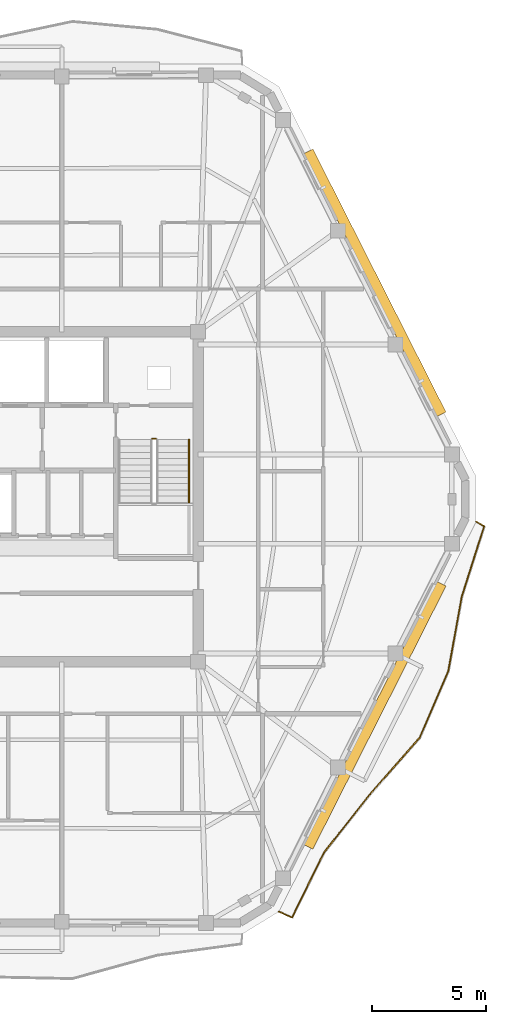
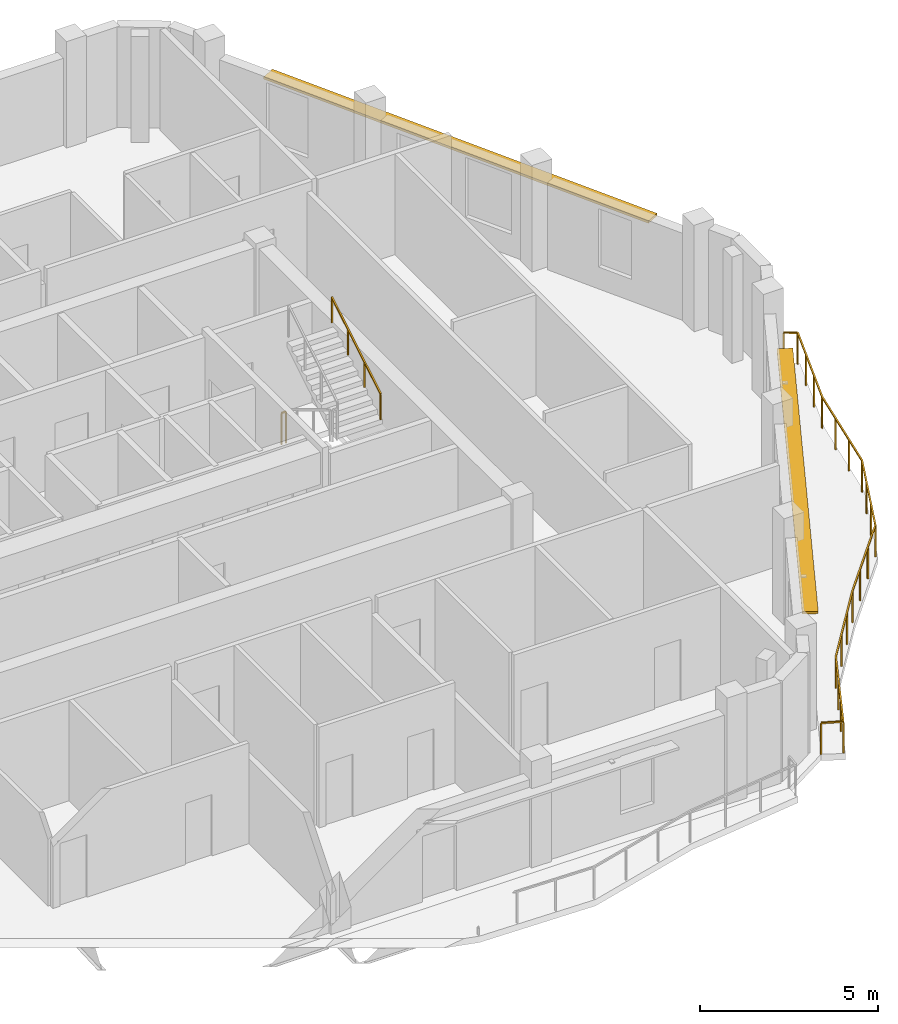
# One storey, part 11 of 12: 3 railings, 2 shading devices.
"""IFC4 building model written with IfcOpenShell, lengths in metres."""

from ifc_helpers import new_model, si_unit, direction, frame, origin, origin_2d, place, context, subcontext, project, spatial, rectangle, extrude, material, layer, layer_set, type_object, element, save


model = new_model("IFC4")

# Units and contexts
model_context = context("Model", 3, precision=1e-05, world=origin(), true_north=direction((0.0, 1.0)))
body_context = subcontext(model_context, "Body", "Model", "MODEL_VIEW")
ifc_project = project(units=[si_unit("LENGTHUNIT", "METRE"), si_unit("AREAUNIT", "SQUARE_METRE"), si_unit("VOLUMEUNIT", "CUBIC_METRE"), si_unit("PLANEANGLEUNIT", "RADIAN"), si_unit("MASSUNIT", "GRAM", prefix="KILO")], contexts=[model_context])

# Site, building, storey
site_placement = place(None, origin())
site = spatial("IfcSite", under=ifc_project, at=site_placement, CompositionType="ELEMENT")
building_placement = place(site_placement, origin())
building = spatial("IfcBuilding", under=site, at=building_placement, Name="Cinnabar Lancet Tower", CompositionType="ELEMENT")
storey_placement = place(building_placement, frame((0.0, 0.0, 270.800048828125)))
storey = spatial("IfcBuildingStorey", under=building, at=storey_placement, Name="L72", CompositionType="ELEMENT", Elevation=270.800048828125)

# Railing
ifc_material_1 = material(Name="Laminated safety glass and bronze stainless steel balustrade", Category="steel")
railing_type_1 = type_object("IfcRailingType", Name="ENV-RLG-BAL-1100", PredefinedType="BALUSTRADE", material=ifc_material_1)
railing_1_placement = place(storey_placement, frame((45.160888671875, 7.73193359375, 0.0)))
element("IfcRailing", 1, at=railing_1_placement, inside=storey, type_object=railing_type_1, Name="L72 Face 2 Wave Balcony Balustrade", PredefinedType="BALUSTRADE", context=body_context, shape_type="SweptSolid", body=[
    extrude(rectangle(XDim=0.048095703125, YDim=0.048095703125, at=origin_2d()), frame((0.0, 0.0, 1.076171875), z_axis=(0.914766428965, -0.403983143756, 0.0), x_axis=(0.403983143756, 0.914766428965, 0.0)), (0.0, 0.0, 1.0), 0.630859375),
    extrude(rectangle(XDim=0.048095703125, YDim=0.048095703125, at=origin_2d()), frame((0.5771484375, -0.2548828125, 1.076171875), z_axis=(0.441804670134, 0.897111271497, 0.0), x_axis=(-0.897111271497, 0.441804670134, 0.0)), (0.0, 0.0, 1.0), 3.182373046875),
    extrude(rectangle(XDim=0.048095703125, YDim=0.048095703125, at=origin_2d()), frame((1.983154296875, 2.60009765625, 1.076171875), z_axis=(0.619183087291, 0.785246651959, 0.0), x_axis=(-0.785246651959, 0.619183087291, 0.0)), (0.0, 0.0, 1.0), 3.24462890625),
    extrude(rectangle(XDim=0.048095703125, YDim=0.048095703125, at=origin_2d()), frame((3.9921875, 5.14794921875, 1.076171875), z_axis=(0.660443614237, 0.750875643774, 0.0), x_axis=(-0.750875643774, 0.660443614237, 0.0)), (0.0, 0.0, 1.0), 3.28564453125),
    extrude(rectangle(XDim=0.048095703125, YDim=0.048095703125, at=origin_2d()), frame((6.162109375, 7.614990234375, 1.076171875), z_axis=(0.394880937459, 0.918732303357, 0.0), x_axis=(-0.918732303357, 0.394880937459, 0.0)), (0.0, 0.0, 1.0), 3.18603515625),
    extrude(rectangle(XDim=0.048095703125, YDim=0.048095703125, at=origin_2d()), frame((7.420166015625, 10.5419921875, 1.076171875), z_axis=(0.17807627444, 0.984016687095, 0.0), x_axis=(-0.984016687095, 0.17807627444, 0.0)), (0.0, 0.0, 1.0), 3.319091796875),
    extrude(rectangle(XDim=0.048095703125, YDim=0.048095703125, at=origin_2d()), frame((8.01123046875, 13.80810546875, 1.076171875), z_axis=(0.303744629415, 0.952753483385, 0.0), x_axis=(-0.952753483385, 0.303744629415, 0.0)), (0.0, 0.0, 1.0), 3.222412109375),
    extrude(rectangle(XDim=0.048095703125, YDim=0.048095703125, at=origin_2d()), frame((8.989990234375, 16.878173828125, 1.076171875), z_axis=(-0.858289068923, 0.513166516998, 0.0), x_axis=(-0.513166516998, -0.858289068923, 0.0)), (0.0, 0.0, 1.0), 0.4052734375),
    extrude(rectangle(XDim=0.0419921875, YDim=0.0419921875, at=origin_2d()), origin(), (0.0, 0.0, 1.0), 1.052001953125),
    extrude(rectangle(XDim=0.0419921875, YDim=0.0419921875, at=origin_2d()), frame((0.5771484375, -0.2548828125, 0.0)), (0.0, 0.0, 1.0), 1.052001953125),
    extrude(rectangle(XDim=0.0419921875, YDim=0.0419921875, at=origin_2d()), frame((1.0458984375, 0.69677734375, 0.0)), (0.0, 0.0, 1.0), 1.052001953125),
    extrude(rectangle(XDim=0.0419921875, YDim=0.0419921875, at=origin_2d()), frame((1.514404296875, 1.6484375, 0.0)), (0.0, 0.0, 1.0), 1.052001953125),
    extrude(rectangle(XDim=0.0419921875, YDim=0.0419921875, at=origin_2d()), frame((1.983154296875, 2.60009765625, 0.0)), (0.0, 0.0, 1.0), 1.052001953125),
    extrude(rectangle(XDim=0.0419921875, YDim=0.0419921875, at=origin_2d()), frame((2.65283203125, 3.449462890625, 0.0)), (0.0, 0.0, 1.0), 1.052001953125),
    extrude(rectangle(XDim=0.0419921875, YDim=0.0419921875, at=origin_2d()), frame((3.322509765625, 4.298583984375, 0.0)), (0.0, 0.0, 1.0), 1.052001953125),
    extrude(rectangle(XDim=0.0419921875, YDim=0.0419921875, at=origin_2d()), frame((3.9921875, 5.14794921875, 0.0)), (0.0, 0.0, 1.0), 1.052001953125),
    extrude(rectangle(XDim=0.0419921875, YDim=0.0419921875, at=origin_2d()), frame((4.715576171875, 5.97021484375, 0.0)), (0.0, 0.0, 1.0), 1.052001953125),
    extrude(rectangle(XDim=0.0419921875, YDim=0.0419921875, at=origin_2d()), frame((5.438720703125, 6.792724609375, 0.0)), (0.0, 0.0, 1.0), 1.052001953125),
    extrude(rectangle(XDim=0.0419921875, YDim=0.0419921875, at=origin_2d()), frame((6.162109375, 7.614990234375, 0.0)), (0.0, 0.0, 1.0), 1.052001953125),
    extrude(rectangle(XDim=0.0419921875, YDim=0.0419921875, at=origin_2d()), frame((6.58154296875, 8.590576171875, 0.0)), (0.0, 0.0, 1.0), 1.052001953125),
    extrude(rectangle(XDim=0.0419921875, YDim=0.0419921875, at=origin_2d()), frame((7.000732421875, 9.56640625, 0.0)), (0.0, 0.0, 1.0), 1.052001953125),
    extrude(rectangle(XDim=0.0419921875, YDim=0.0419921875, at=origin_2d()), frame((7.420166015625, 10.5419921875, 0.0)), (0.0, 0.0, 1.0), 1.052001953125),
    extrude(rectangle(XDim=0.0419921875, YDim=0.0419921875, at=origin_2d()), frame((7.6171875, 11.630615234375, 0.0)), (0.0, 0.0, 1.0), 1.052001953125),
    extrude(rectangle(XDim=0.0419921875, YDim=0.0419921875, at=origin_2d()), frame((7.814208984375, 12.719482421875, 0.0)), (0.0, 0.0, 1.0), 1.052001953125),
    extrude(rectangle(XDim=0.0419921875, YDim=0.0419921875, at=origin_2d()), frame((8.01123046875, 13.80810546875, 0.0)), (0.0, 0.0, 1.0), 1.052001953125),
    extrude(rectangle(XDim=0.0419921875, YDim=0.0419921875, at=origin_2d()), frame((8.33740234375, 14.83154296875, 0.0)), (0.0, 0.0, 1.0), 1.052001953125),
    extrude(rectangle(XDim=0.0419921875, YDim=0.0419921875, at=origin_2d()), frame((8.663818359375, 15.854736328125, 0.0)), (0.0, 0.0, 1.0), 1.052001953125),
    extrude(rectangle(XDim=0.0419921875, YDim=0.0419921875, at=origin_2d()), frame((8.989990234375, 16.878173828125, 0.0)), (0.0, 0.0, 1.0), 1.052001953125),
    extrude(rectangle(XDim=0.0419921875, YDim=0.0419921875, at=origin_2d()), frame((8.64208984375, 17.086181640625, 0.0)), (0.0, 0.0, 1.0), 1.052001953125),
])

# Shading devices
ifc_material_2 = material(Name="Pale limestone architectural aluminium sunshade", Category="masonry")
ifc_layer = layer(ifc_material_2, 0.080078125)
ifc_layer_set = layer_set([ifc_layer], Name="Pale limestone architectural aluminium sunshade")
shading_device_type = type_object("IfcShadingDeviceType", Name="ENV-SHD-LVR-450", PredefinedType="JALOUSIE", material=ifc_layer_set)
for number, where, z_axis, x_axis, name in (
    (2, (49.364013671875, 16.330078125, 2.639892578125), (0.0, 0.0, 1.0), (0.451375984307, 0.89233386173, 0.0), "L72 Face 2 Horizontal Sunshade Canopy"),
    (3, (49.364013671875, 35.27001953125, 2.639892578125), (0.0, 0.0, 1.0), (-0.451375984307, 0.89233386173, 0.0), "L72 Face 3 Horizontal Sunshade Canopy"),
):
    element("IfcShadingDevice", number, at=place(storey_placement, frame(where, z_axis=z_axis, x_axis=x_axis)), inside=storey, type_object=shading_device_type, Name=name, PredefinedType="JALOUSIE", context=body_context, shape_type="SweptSolid", body=[
        extrude(rectangle(XDim=12.912109375, YDim=0.449951171875, at=origin_2d()), origin(), (0.0, 0.0, 1.0), 0.080078125),
    ])

# Railings
ifc_material_3 = material(Name="Painted galvanized steel balustrade", Category="steel")
railing_type_2 = type_object("IfcRailingType", Name="GUARD-STAIR", PredefinedType="GUARDRAIL", material=ifc_material_3)
railing_2_placement = place(storey_placement, frame((39.625, 28.449951171875, 0.0)))
element("IfcRailing", 4, at=railing_2_placement, inside=storey, type_object=railing_type_2, Name="L72 ST-2 stair guard 4", PredefinedType="GUARDRAIL", context=body_context, shape_type="SweptSolid", body=[
    extrude(rectangle(XDim=0.048095703125, YDim=0.048095703125, at=origin_2d()), frame((0.0, 0.0, 1.076171875), z_axis=(1.0, 0.0, 0.0), x_axis=(0.0, 1.0, 0.0)), (0.0, 0.0, 1.0), 0.14990234375),
    extrude(rectangle(XDim=0.0419921875, YDim=0.0419921875, at=origin_2d()), origin(), (0.0, 0.0, 1.0), 1.052001953125),
    extrude(rectangle(XDim=0.0419921875, YDim=0.0419921875, at=origin_2d()), frame((0.14990234375, 0.0, 0.0)), (0.0, 0.0, 1.0), 1.052001953125),
])
ifc_material_4 = material(Name="Brushed stainless steel handrail", Category="steel")
railing_type_3 = type_object("IfcRailingType", Name="HANDRAIL-STAIR", PredefinedType="HANDRAIL", material=ifc_material_4)
railing_3_placement = place(storey_placement, frame((41.22509765625, 25.64990234375, 1.990966796875)))
element("IfcRailing", 5, at=railing_3_placement, inside=storey, type_object=railing_type_3, Name="L72 ST-2 stair handrail 2", PredefinedType="HANDRAIL", context=body_context, shape_type="SweptSolid", body=[
    extrude(rectangle(XDim=0.048095703125, YDim=0.048095703125, at=origin_2d()), frame((0.0, 0.0, 0.8759765625), z_axis=(0.0, 0.856263023582, 0.516540060834), x_axis=(-1.0, 0.0, 0.0)), (0.0, 0.0, 1.0), 3.211669921875),
    extrude(rectangle(XDim=0.0419921875, YDim=0.0419921875, at=origin_2d()), origin(), (0.0, 0.0, 1.0), 0.851806640625),
    extrude(rectangle(XDim=0.0419921875, YDim=0.0419921875, at=origin_2d()), frame((0.0, 0.916748046875, 0.552978515625)), (0.0, 0.0, 1.0), 0.851806640625),
    extrude(rectangle(XDim=0.0419921875, YDim=0.0419921875, at=origin_2d()), frame((0.0, 1.833251953125, 1.10595703125)), (0.0, 0.0, 1.0), 0.851806640625),
    extrude(rectangle(XDim=0.0419921875, YDim=0.0419921875, at=origin_2d()), frame((0.0, 2.75, 1.658935546875)), (0.0, 0.0, 1.0), 0.851806640625),
])

save(model, "model.ifc")
